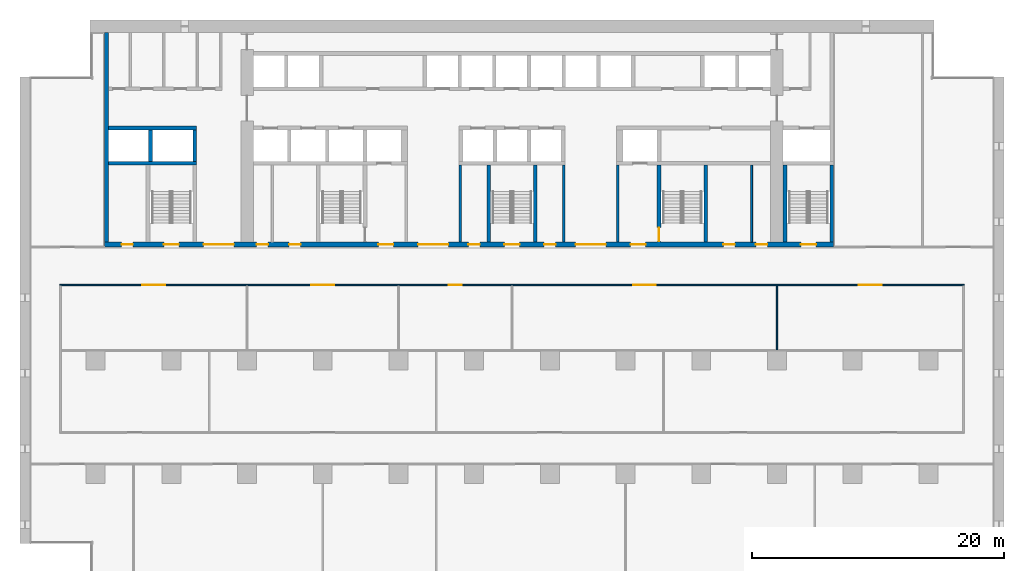
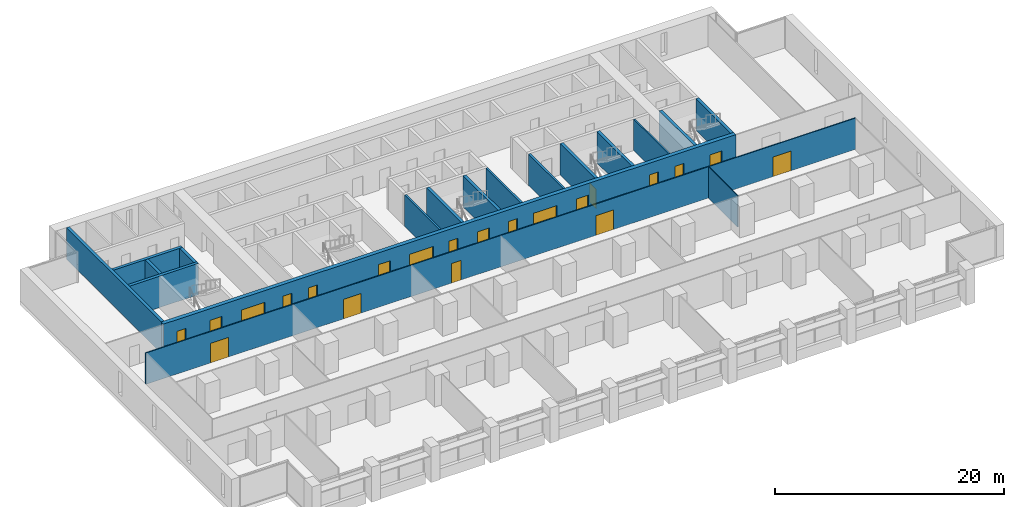
# One storey, part 10 of 18: 21 doors, 18 walls, 21 openings.
"""IFC4 building model written with IfcOpenShell, lengths in metres."""

import ifcopenshell
import ifcopenshell.guid

model = None  # the IFC model being written
_history = None  # IfcOwnerHistory: only IFC2X3 demands one
_inside = {}  # id of a spatial element -> (the spatial element, [elements in it])
_under = {}  # id of a project, library or spatial element -> (it, [spatial elements below it])
_declared = {}  # id of a project -> (the project, [libraries it declares])
_typed = {}  # id of a type object -> (the type object, [elements of that type])
_made_of = {}  # id of a material, layer set ... -> (it, [elements and type objects made of it])


def new_model(schema):
    """Start an empty IFC model of exactly this schema.

    Asked for "IFC4X3", IfcOpenShell would pick the latest addendum, in which some entities
    have other attributes; the version numbers below select the first issue.
    IFC2X3 requires an IfcOwnerHistory on every rooted entity: one is made here for all.
    """
    global model, _history
    if schema == "IFC4X3":
        model = ifcopenshell.file(schema_version=(4, 3, 0, 0))
    else:
        model = ifcopenshell.file(schema=schema)
    _inside.clear()
    _under.clear()
    _declared.clear()
    _typed.clear()
    _made_of.clear()
    _history = None
    if model.schema == "IFC2X3":
        org = make("IfcOrganization", Name="unknown")
        user = make(
            "IfcPersonAndOrganization",
            ThePerson=make("IfcPerson", FamilyName="unknown"),
            TheOrganization=org,
        )
        app = make(
            "IfcApplication",
            ApplicationDeveloper=org,
            Version="unknown",
            ApplicationFullName="unknown",
            ApplicationIdentifier="unknown",
        )
        _history = make(
            "IfcOwnerHistory",
            OwningUser=user,
            OwningApplication=app,
            ChangeAction="ADDED",
            CreationDate=0,
        )
    return model


def make(cls, **values):
    """One entity of the class cls with the attributes given. An attribute that is None is left unset."""
    return model.create_entity(
        cls, **{name: value for name, value in values.items() if value is not None}
    )


def rooted(cls, **values):
    """An entity with a GlobalId (a new one), such as an element, a storey or a relation."""
    return make(cls, GlobalId=ifcopenshell.guid.new(), OwnerHistory=_history, **values)


def si_unit(unit_type, name, prefix=None):
    """IfcSIUnit, for example si_unit("LENGTHUNIT", "METRE", prefix="MILLI")."""
    return make("IfcSIUnit", UnitType=unit_type, Prefix=prefix, Name=name)


def assignment(units):
    """IfcUnitAssignment: the units of a project."""
    return None if units is None else make("IfcUnitAssignment", Units=units)


def point(xyz):
    """IfcCartesianPoint."""
    return None if xyz is None else make("IfcCartesianPoint", Coordinates=xyz)


def direction(xyz):
    """IfcDirection."""
    return None if xyz is None else make("IfcDirection", DirectionRatios=xyz)


def frame(location, z_axis=None, x_axis=None):
    """IfcAxis2Placement3D, a coordinate frame: its origin and axes. An axis left out is left unset."""
    return make(
        "IfcAxis2Placement3D",
        Location=point(location),
        Axis=direction(z_axis),
        RefDirection=direction(x_axis),
    )


def frame_2d(location, x_axis=None):
    """IfcAxis2Placement2D, a coordinate frame in the plane: its origin and x axis."""
    return make(
        "IfcAxis2Placement2D", Location=point(location), RefDirection=direction(x_axis)
    )


def origin():
    """The frame at (0, 0, 0) with its axes left unset."""
    return frame((0.0, 0.0, 0.0))


def place(relative_to, where):
    """IfcLocalPlacement: puts the frame where relative to a parent placement (None: the world)."""
    return make(
        "IfcLocalPlacement", PlacementRelTo=relative_to, RelativePlacement=where
    )


def context(
    kind, dimensions, precision=None, world=None, true_north=None, identifier=None
):
    """IfcGeometricRepresentationContext, for example the 3D "Model" context."""
    return make(
        "IfcGeometricRepresentationContext",
        ContextIdentifier=identifier,
        ContextType=kind,
        CoordinateSpaceDimension=dimensions,
        Precision=precision,
        WorldCoordinateSystem=world,
        TrueNorth=true_north,
    )


def subcontext(parent, identifier, kind, view, scale=None):
    """IfcGeometricRepresentationSubContext, for example "Body" below "Model"."""
    return make(
        "IfcGeometricRepresentationSubContext",
        ContextIdentifier=identifier,
        ContextType=kind,
        ParentContext=parent,
        TargetScale=scale,
        TargetView=view,
    )


def project(units=None, contexts=None):
    """IfcProject with its units and contexts."""
    return rooted(
        "IfcProject",
        Name="project",
        RepresentationContexts=contexts,
        UnitsInContext=assignment(units),
    )


def spatial(cls, under=None, at=None, **own):
    """A site, building, storey or space (cls), placed at a placement, below another one or the project."""
    s = rooted(cls, ObjectPlacement=at, **own)
    if under is not None:
        _under.setdefault(under.id(), (under, []))[1].append(s)
    return s


def profile(cls, at=None, kind="AREA", **sizes):
    """A parametric profile (cls). Its sizes go by their IFC names, for example OverallWidth=200.0."""
    return make(cls, ProfileType=kind, Position=at, **sizes)


def rectangle(**sizes):
    """IfcRectangleProfileDef."""
    return profile("IfcRectangleProfileDef", **sizes)


def extrude(swept, where, along, depth):
    """IfcExtrudedAreaSolid: the profile swept, set in the frame where, extruded along a direction by depth."""
    return make(
        "IfcExtrudedAreaSolid",
        SweptArea=swept,
        Position=where,
        ExtrudedDirection=direction(along),
        Depth=depth,
    )


def shape(context_of_items, identifier, shape_type, items):
    """IfcShapeRepresentation: the items that make up one representation, for example the "Body"."""
    return make(
        "IfcShapeRepresentation",
        ContextOfItems=context_of_items,
        RepresentationIdentifier=identifier,
        RepresentationType=shape_type,
        Items=items,
    )


def material(Name=None, Category=None):
    """IfcMaterial."""
    return make("IfcMaterial", Name=Name, Category=Category)


def layer(
    of_material, thickness, ventilated=None, Name=None, Category=None, Priority=None
):
    """IfcMaterialLayer: one layer of a wall or slab, of a material (None: an air gap)."""
    return make(
        "IfcMaterialLayer",
        Material=of_material,
        LayerThickness=thickness,
        IsVentilated=ventilated,
        Name=Name,
        Category=Category,
        Priority=Priority,
    )


def layer_set(layers, Name=None):
    """IfcMaterialLayerSet."""
    return make("IfcMaterialLayerSet", MaterialLayers=layers, LayerSetName=Name)


def made_of(thing, what):
    """Note that an element or type object is made of a material, layer set ...; save() writes the relation."""
    if what is not None:
        _made_of.setdefault(what.id(), (what, []))[1].append(thing)
    return thing


def type_object(cls, material=None, **own):
    """A type object (cls), such as IfcWallType, which elements share."""
    return made_of(rooted(cls, **own), material)


def element(
    cls,
    number,
    at=None,
    inside=None,
    cuts=None,
    type_object=None,
    material=None,
    context=None,
    identifier="Body",
    shape_type=None,
    held_by="IfcProductDefinitionShape",
    body=None,
    shapes=None,
    **own,
):
    """One element of the class cls, such as IfcWall. Its Tag is "e" and its number.

    at: its placement. inside: the storey or other place that contains it. cuts: it is an
    opening in that element (IfcRelVoidsElement). A single representation is given by context,
    identifier, shape_type and body (its items); several are given by shapes. held_by: the class
    of the entity that holds the representations. save() writes the other relations.
    """
    e = rooted(cls, Tag="e%d" % number, ObjectPlacement=at, **own)
    if body is not None:
        shapes = [shape(context, identifier, shape_type, body)]
    if shapes is not None:
        e.Representation = make(held_by, Representations=shapes)
    if inside is not None:
        _inside.setdefault(inside.id(), (inside, []))[1].append(e)
    if cuts is not None:
        rooted(
            "IfcRelVoidsElement", RelatingBuildingElement=cuts, RelatedOpeningElement=e
        )
    if type_object is not None:
        _typed.setdefault(type_object.id(), (type_object, []))[1].append(e)
    return made_of(e, material)


def fill(opening, filler):
    """IfcRelFillsElement: the door or window that sits in an opening."""
    return rooted(
        "IfcRelFillsElement",
        RelatingOpeningElement=opening,
        RelatedBuildingElement=filler,
    )


def aggregate(whole, parts):
    """IfcRelAggregates: a whole, such as a stair, and the parts it consists of."""
    return rooted("IfcRelAggregates", RelatingObject=whole, RelatedObjects=parts)


def save(model, path):
    """Write the relations noted so far, then the file.

    IfcRelAggregates (storeys below a building ...), IfcRelContainedInSpatialStructure (elements
    in a storey), IfcRelDefinesByType, IfcRelAssociatesMaterial and IfcRelDeclares: one each for
    every whole, place, type object, material and project.
    """
    for whole, parts in _under.values():
        aggregate(whole, parts)
    for where, things in _inside.values():
        rooted(
            "IfcRelContainedInSpatialStructure",
            RelatedElements=things,
            RelatingStructure=where,
        )
    for kind, things in _typed.values():
        rooted("IfcRelDefinesByType", RelatedObjects=things, RelatingType=kind)
    for what, things in _made_of.values():
        rooted("IfcRelAssociatesMaterial", RelatedObjects=things, RelatingMaterial=what)
    for by, libraries in _declared.values():
        rooted("IfcRelDeclares", RelatingContext=by, RelatedDefinitions=libraries)
    model.write(path)


model = new_model("IFC4")

# Units and contexts
model_context = context("Model", 3, precision=1e-05, world=origin(), true_north=direction((0.0, 1.0)))
body_context = subcontext(model_context, "Body", "Model", "MODEL_VIEW")
ifc_project = project(units=[si_unit("LENGTHUNIT", "METRE"), si_unit("AREAUNIT", "SQUARE_METRE"), si_unit("VOLUMEUNIT", "CUBIC_METRE"), si_unit("PLANEANGLEUNIT", "RADIAN"), si_unit("MASSUNIT", "GRAM", prefix="KILO")], contexts=[model_context])

# Site, building, storey
site_placement = place(None, origin())
site = spatial("IfcSite", under=ifc_project, at=site_placement, CompositionType="ELEMENT")
building_placement = place(site_placement, origin())
building = spatial("IfcBuilding", under=site, at=building_placement, Name="Calvaro Tower", CompositionType="ELEMENT")
storey_placement = place(building_placement, frame((0.0, 0.0, 82.5)))
storey = spatial("IfcBuildingStorey", under=building, at=storey_placement, Name="L20", CompositionType="ELEMENT", Elevation=82.5)

# Walls
ifc_material_1 = material(Name="Blockwork partition", Category="masonry")
ifc_layer_1 = layer(ifc_material_1, 0.14990234375)
ifc_layer_set_1 = layer_set([ifc_layer_1], Name="Blockwork partition")
wall_type_1 = type_object("IfcWallType", Name="Core partition 150 EI 60", PredefinedType="PARTITIONING", material=ifc_layer_set_1)
wall_1_placement = place(storey_placement, frame((58.0, 28.39990234375, 0.0), z_axis=(0.0, 0.0, 1.0), x_axis=(0.0, 1.0, 0.0)))
element("IfcWall", 1, at=wall_1_placement, inside=storey, type_object=wall_type_1, Name="Core partition", PredefinedType="PARTITIONING", context=body_context, shape_type="SweptSolid", body=[
    extrude(rectangle(XDim=6.10009765625, YDim=0.14990234375, at=frame_2d((3.050048828125, 0.0))), origin(), (0.0, 0.0, 1.0), 3.35009765625),
])
ifc_material_2 = material(Name="Blockwork partition", Category="masonry")
ifc_layer_2 = layer(ifc_material_2, 0.199951171875)
ifc_layer_set_2 = layer_set([ifc_layer_2], Name="Blockwork partition")
wall_type_2 = type_object("IfcWallType", Name="Core partition 200 REI 120", PredefinedType="PARTITIONING", material=ifc_layer_set_2)
for number, where, z_axis, x_axis, name in (
    (2, (34.89990234375, 28.39990234375, 0.0), (0.0, 0.0, 1.0), (0.0, 1.0, 0.0), "Core partition"),
    (3, (43.10009765625, 28.39990234375, 0.0), (0.0, 0.0, 1.0), (0.0, 1.0, 0.0), "Core partition"),
    (4, (47.39990234375, 28.39990234375, 0.0), (0.0, 0.0, 1.0), (0.0, 1.0, 0.0), "Core partition"),
):
    element("IfcWall", number, at=place(storey_placement, frame(where, z_axis=z_axis, x_axis=x_axis)), inside=storey, type_object=wall_type_2, Name=name, PredefinedType="PARTITIONING", context=body_context, shape_type="SweptSolid", body=[
        extrude(rectangle(XDim=6.10009765625, YDim=0.199951171875, at=frame_2d((3.050048828125, 0.0))), origin(), (0.0, 0.0, 1.0), 3.35009765625),
    ])
ifc_material_3 = material(Name="Concrete C80/95", Category="concrete")
ifc_layer_3 = layer(ifc_material_3, 0.300048828125)
ifc_layer_set_3 = layer_set([ifc_layer_3], Name="Concrete C80/95")
wall_type_3 = type_object("IfcWallType", Name="Core wall C80/95 300", PredefinedType="SHEAR", material=ifc_layer_set_3)
wall_2_placement = place(storey_placement, frame((6.85009765625, 28.39990234375, 0.0), z_axis=(0.0, 0.0, 1.0), x_axis=(0.0, 1.0, 0.0)))
element("IfcWall", 5, at=wall_2_placement, inside=storey, type_object=wall_type_3, Name="Core wall, boundary", PredefinedType="SHEAR", context=body_context, shape_type="SweptSolid", body=[
    extrude(rectangle(XDim=16.60009765625, YDim=0.300048828125, at=frame_2d((8.300048828125, 0.0))), origin(), (0.0, 0.0, 1.0), 3.35009765625),
])
for number, where, z_axis, x_axis, name in (
    (6, (37.14990234375, 28.39990234375, 0.0), (0.0, 0.0, 1.0), (0.0, 1.0, 0.0), "Core wall, stair enclosure"),
    (7, (40.85009765625, 28.39990234375, 0.0), (0.0, 0.0, 1.0), (0.0, 1.0, 0.0), "Core wall, stair enclosure"),
):
    element("IfcWall", number, at=place(storey_placement, frame(where, z_axis=z_axis, x_axis=x_axis)), inside=storey, type_object=wall_type_3, Name=name, PredefinedType="SHEAR", context=body_context, shape_type="SweptSolid", body=[
        extrude(rectangle(XDim=6.10009765625, YDim=0.300048828125, at=frame_2d((3.050048828125, 0.0))), origin(), (0.0, 0.0, 1.0), 3.35009765625),
    ])

# Wall, opening, door
wall_3_placement = place(storey_placement, frame((50.64990234375, 34.5, 0.0), z_axis=(0.0, 0.0, 1.0), x_axis=(0.0, -1.0, 0.0)))
wall_3 = element("IfcWall", 8, at=wall_3_placement, inside=storey, type_object=wall_type_3, Name="Core wall, stair enclosure", PredefinedType="SHEAR", context=body_context, shape_type="SweptSolid", body=[
    extrude(rectangle(XDim=6.10009765625, YDim=0.300048828125, at=frame_2d((3.050048828125, 0.0))), origin(), (0.0, 0.0, 1.0), 3.35009765625),
])
opening_1_placement = place(wall_3_placement, frame((4.949951171875, 0.0, 0.0)))
opening_1 = element("IfcOpeningElement", 9, at=opening_1_placement, cuts=wall_3, Name="Opening FD11D", PredefinedType="OPENING", context=body_context, shape_type="SweptSolid", body=[
    extrude(rectangle(XDim=1.10009765625, YDim=2.10009765625, at=frame_2d((0.550048828125, 1.050048828125))), frame((0.0, 0.159912109375, 0.0), z_axis=(0.0, -1.0, 0.0), x_axis=(1.0, 0.0, 0.0)), (0.0, 0.0, 1.0), 0.320068359375),
])
ifc_material_4 = material(Name="Steel door set", Category="steel")
door_type_1 = type_object("IfcDoorType", Name="Fire door 1100 FD30S", OperationType="SINGLE_SWING_LEFT", PredefinedType="DOOR", material=ifc_material_4)
door_1_placement = place(opening_1_placement, origin())
door_1 = element("IfcDoor", 10, at=door_1_placement, inside=storey, type_object=door_type_1, Name="Fire door", OperationType="SINGLE_SWING_RIGHT", OverallHeight=2.10009765625, OverallWidth=1.10009765625, PredefinedType="DOOR", context=body_context, shape_type="SweptSolid", body=[
    extrude(rectangle(XDim=1.10009765625, YDim=2.10009765625, at=frame_2d((0.550048828125, 1.050048828125))), frame((0.0, 0.02490234375, 0.0), z_axis=(0.0, -1.0, 0.0), x_axis=(1.0, 0.0, 0.0)), (0.0, 0.0, 1.0), 0.050048828125),
])
fill(opening_1, door_1)

# Walls
for number, where, z_axis, x_axis, name in (
    (11, (54.35009765625, 28.39990234375, 0.0), (0.0, 0.0, 1.0), (0.0, 1.0, 0.0), "Core wall, stair enclosure"),
    (12, (60.64990234375, 28.39990234375, 0.0), (0.0, 0.0, 1.0), (0.0, 1.0, 0.0), "Core wall, stair enclosure"),
    (13, (64.35009765625, 28.39990234375, 0.0), (0.0, 0.0, 1.0), (0.0, 1.0, 0.0), "Core wall, stair enclosure"),
):
    element("IfcWall", number, at=place(storey_placement, frame(where, z_axis=z_axis, x_axis=x_axis)), inside=storey, type_object=wall_type_3, Name=name, PredefinedType="SHEAR", context=body_context, shape_type="SweptSolid", body=[
        extrude(rectangle(XDim=6.10009765625, YDim=0.300048828125, at=frame_2d((3.050048828125, 0.0))), origin(), (0.0, 0.0, 1.0), 3.35009765625),
    ])
for number, where, z_axis, x_axis, name in (
    (14, (7.0, 34.64990234375, 0.0), (0.0, 0.0, 1.0), (1.0, 0.0, 0.0), "Core wall, lift shaft"),
    (15, (7.0, 37.449951171875, 0.0), (0.0, 0.0, 1.0), (1.0, 0.0, 0.0), "Core wall, lift shaft"),
):
    element("IfcWall", number, at=place(storey_placement, frame(where, z_axis=z_axis, x_axis=x_axis)), inside=storey, type_object=wall_type_3, Name=name, PredefinedType="SHEAR", context=body_context, shape_type="SweptSolid", body=[
        extrude(rectangle(XDim=7.0, YDim=0.300048828125, at=frame_2d((3.5, 0.0))), origin(), (0.0, 0.0, 1.0), 3.35009765625),
    ])
for number, where, z_axis, x_axis, name in (
    (16, (13.85009765625, 34.800048828125, 0.0), (0.0, 0.0, 1.0), (0.0, 1.0, 0.0), "Core wall, lift shaft"),
    (17, (10.35009765625, 34.800048828125, 0.0), (0.0, 0.0, 1.0), (0.0, 1.0, 0.0), "Core wall, lift shaft"),
):
    element("IfcWall", number, at=place(storey_placement, frame(where, z_axis=z_axis, x_axis=x_axis)), inside=storey, type_object=wall_type_3, Name=name, PredefinedType="SHEAR", context=body_context, shape_type="SweptSolid", body=[
        extrude(rectangle(XDim=2.5, YDim=0.300048828125, at=frame_2d((1.25, 0.0))), origin(), (0.0, 0.0, 1.0), 3.35009765625),
    ])

# Wall, openings, doors
ifc_material_5 = material(Name="Concrete C80/95", Category="concrete")
ifc_layer_4 = layer(ifc_material_5, 0.39990234375)
ifc_layer_set_4 = layer_set([ifc_layer_4], Name="Concrete C80/95")
wall_type_4 = type_object("IfcWallType", Name="Core wall C80/95 400", PredefinedType="SHEAR", material=ifc_layer_set_4)
wall_4_placement = place(storey_placement, frame((6.699951171875, 28.199951171875, 0.0), z_axis=(0.0, 0.0, 1.0), x_axis=(1.0, 0.0, 0.0)))
wall_4 = element("IfcWall", 18, at=wall_4_placement, inside=storey, type_object=wall_type_4, Name="Core wall, front", PredefinedType="SHEAR", context=body_context, shape_type="SweptSolid", body=[
    extrude(rectangle(XDim=57.800048828125, YDim=0.39990234375, at=frame_2d((28.89990234375, 0.0))), origin(), (0.0, 0.0, 1.0), 3.35009765625),
])
opening_2_placement = place(wall_4_placement, frame((12.0625, 0.0, 0.0)))
opening_2 = element("IfcOpeningElement", 19, at=opening_2_placement, cuts=wall_4, Name="Opening RD9C", PredefinedType="OPENING", context=body_context, shape_type="SweptSolid", body=[
    extrude(rectangle(XDim=0.89990234375, YDim=2.10009765625, at=frame_2d((0.449951171875, 1.050048828125))), frame((0.0, 0.2099609375, 0.0), z_axis=(0.0, -1.0, 0.0), x_axis=(1.0, 0.0, 0.0)), (0.0, 0.0, 1.0), 0.419921875),
])
opening_3_placement = place(wall_4_placement, frame((14.637451171875, 0.0, 0.0)))
opening_3 = element("IfcOpeningElement", 20, at=opening_3_placement, cuts=wall_4, Name="Opening RD9E", PredefinedType="OPENING", context=body_context, shape_type="SweptSolid", body=[
    extrude(rectangle(XDim=0.89990234375, YDim=2.10009765625, at=frame_2d((0.449951171875, 1.050048828125))), frame((0.0, 0.2099609375, 0.0), z_axis=(0.0, -1.0, 0.0), x_axis=(1.0, 0.0, 0.0)), (0.0, 0.0, 1.0), 0.419921875),
])
opening_4_placement = place(wall_4_placement, frame((49.0625, 0.0, 0.0)))
opening_4 = element("IfcOpeningElement", 21, at=opening_4_placement, cuts=wall_4, Name="Opening RD9E", PredefinedType="OPENING", context=body_context, shape_type="SweptSolid", body=[
    extrude(rectangle(XDim=0.89990234375, YDim=2.10009765625, at=frame_2d((0.449951171875, 1.050048828125))), frame((0.0, 0.2099609375, 0.0), z_axis=(0.0, -1.0, 0.0), x_axis=(1.0, 0.0, 0.0)), (0.0, 0.0, 1.0), 0.419921875),
])
opening_5_placement = place(wall_4_placement, frame((51.637451171875, 0.0, 0.0)))
opening_5 = element("IfcOpeningElement", 22, at=opening_5_placement, cuts=wall_4, Name="Opening RD9C", PredefinedType="OPENING", context=body_context, shape_type="SweptSolid", body=[
    extrude(rectangle(XDim=0.89990234375, YDim=2.10009765625, at=frame_2d((0.449951171875, 1.050048828125))), frame((0.0, 0.2099609375, 0.0), z_axis=(0.0, -1.0, 0.0), x_axis=(1.0, 0.0, 0.0)), (0.0, 0.0, 1.0), 0.419921875),
])
opening_6_placement = place(wall_4_placement, frame((1.35009765625, 0.0, 0.0)))
opening_6 = element("IfcOpeningElement", 23, at=opening_6_placement, cuts=wall_4, Name="Opening RD9E", PredefinedType="OPENING", context=body_context, shape_type="SweptSolid", body=[
    extrude(rectangle(XDim=0.89990234375, YDim=2.10009765625, at=frame_2d((0.449951171875, 1.050048828125))), frame((0.0, 0.2099609375, 0.0), z_axis=(0.0, -1.0, 0.0), x_axis=(1.0, 0.0, 0.0)), (0.0, 0.0, 1.0), 0.419921875),
])
opening_7_placement = place(wall_4_placement, frame((4.699951171875, 0.0, 0.0)))
opening_7 = element("IfcOpeningElement", 24, at=opening_7_placement, cuts=wall_4, Name="Opening SD12D", PredefinedType="OPENING", context=body_context, shape_type="SweptSolid", body=[
    extrude(rectangle(XDim=1.199951171875, YDim=2.10009765625, at=frame_2d((0.60009765625, 1.050048828125))), frame((0.0, 0.2099609375, 0.0), z_axis=(0.0, -1.0, 0.0), x_axis=(1.0, 0.0, 0.0)), (0.0, 0.0, 1.0), 0.419921875),
])
opening_8_placement = place(wall_4_placement, frame((31.699951171875, 0.0, 0.0)))
opening_8 = element("IfcOpeningElement", 25, at=opening_8_placement, cuts=wall_4, Name="Opening SD12D", PredefinedType="OPENING", context=body_context, shape_type="SweptSolid", body=[
    extrude(rectangle(XDim=1.199951171875, YDim=2.10009765625, at=frame_2d((0.60009765625, 1.050048828125))), frame((0.0, 0.2099609375, 0.0), z_axis=(0.0, -1.0, 0.0), x_axis=(1.0, 0.0, 0.0)), (0.0, 0.0, 1.0), 0.419921875),
])
opening_9_placement = place(wall_4_placement, frame((55.199951171875, 0.0, 0.0)))
opening_9 = element("IfcOpeningElement", 26, at=opening_9_placement, cuts=wall_4, Name="Opening SD12D", PredefinedType="OPENING", context=body_context, shape_type="SweptSolid", body=[
    extrude(rectangle(XDim=1.199951171875, YDim=2.10009765625, at=frame_2d((0.60009765625, 1.050048828125))), frame((0.0, 0.2099609375, 0.0), z_axis=(0.0, -1.0, 0.0), x_axis=(1.0, 0.0, 0.0)), (0.0, 0.0, 1.0), 0.419921875),
])
opening_10_placement = place(wall_4_placement, frame((21.699951171875, 0.0, 0.0)))
opening_10 = element("IfcOpeningElement", 27, at=opening_10_placement, cuts=wall_4, Name="Opening FD12F", PredefinedType="OPENING", context=body_context, shape_type="SweptSolid", body=[
    extrude(rectangle(XDim=1.199951171875, YDim=2.10009765625, at=frame_2d((0.60009765625, 1.050048828125))), frame((0.0, 0.2099609375, 0.0), z_axis=(0.0, -1.0, 0.0), x_axis=(1.0, 0.0, 0.0)), (0.0, 0.0, 1.0), 0.419921875),
])
opening_11_placement = place(wall_4_placement, frame((41.699951171875, 0.0, 0.0)))
opening_11 = element("IfcOpeningElement", 28, at=opening_11_placement, cuts=wall_4, Name="Opening FD12F", PredefinedType="OPENING", context=body_context, shape_type="SweptSolid", body=[
    extrude(rectangle(XDim=1.199951171875, YDim=2.10009765625, at=frame_2d((0.60009765625, 1.050048828125))), frame((0.0, 0.2099609375, 0.0), z_axis=(0.0, -1.0, 0.0), x_axis=(1.0, 0.0, 0.0)), (0.0, 0.0, 1.0), 0.419921875),
])
opening_12_placement = place(wall_4_placement, frame((24.85009765625, 0.0, 0.0)))
opening_12 = element("IfcOpeningElement", 29, at=opening_12_placement, cuts=wall_4, Name="Opening DD24D", PredefinedType="OPENING", context=body_context, shape_type="SweptSolid", body=[
    extrude(rectangle(XDim=2.39990234375, YDim=2.10009765625, at=frame_2d((1.199951171875, 1.050048828125))), frame((0.0, 0.2099609375, 0.0), z_axis=(0.0, -1.0, 0.0), x_axis=(1.0, 0.0, 0.0)), (0.0, 0.0, 1.0), 0.419921875),
])
opening_13_placement = place(wall_4_placement, frame((37.35009765625, 0.0, 0.0)))
opening_13 = element("IfcOpeningElement", 30, at=opening_13_placement, cuts=wall_4, Name="Opening DD24D", PredefinedType="OPENING", context=body_context, shape_type="SweptSolid", body=[
    extrude(rectangle(XDim=2.39990234375, YDim=2.10009765625, at=frame_2d((1.199951171875, 1.050048828125))), frame((0.0, 0.2099609375, 0.0), z_axis=(0.0, -1.0, 0.0), x_axis=(1.0, 0.0, 0.0)), (0.0, 0.0, 1.0), 0.419921875),
])
opening_14_placement = place(wall_4_placement, frame((7.85009765625, 0.0, 0.0)))
opening_14 = element("IfcOpeningElement", 31, at=opening_14_placement, cuts=wall_4, Name="Opening DD24D", PredefinedType="OPENING", context=body_context, shape_type="SweptSolid", body=[
    extrude(rectangle(XDim=2.39990234375, YDim=2.10009765625, at=frame_2d((1.199951171875, 1.050048828125))), frame((0.0, 0.2099609375, 0.0), z_axis=(0.0, -1.0, 0.0), x_axis=(1.0, 0.0, 0.0)), (0.0, 0.0, 1.0), 0.419921875),
])
opening_15_placement = place(wall_4_placement, frame((28.85009765625, 0.0, 0.0)))
opening_15 = element("IfcOpeningElement", 32, at=opening_15_placement, cuts=wall_4, Name="Opening RD9E", PredefinedType="OPENING", context=body_context, shape_type="SweptSolid", body=[
    extrude(rectangle(XDim=0.89990234375, YDim=2.10009765625, at=frame_2d((0.449951171875, 1.050048828125))), frame((0.0, 0.2099609375, 0.0), z_axis=(0.0, -1.0, 0.0), x_axis=(1.0, 0.0, 0.0)), (0.0, 0.0, 1.0), 0.419921875),
])
opening_16_placement = place(wall_4_placement, frame((34.85009765625, 0.0, 0.0)))
opening_16 = element("IfcOpeningElement", 33, at=opening_16_placement, cuts=wall_4, Name="Opening RD9E", PredefinedType="OPENING", context=body_context, shape_type="SweptSolid", body=[
    extrude(rectangle(XDim=0.89990234375, YDim=2.10009765625, at=frame_2d((0.449951171875, 1.050048828125))), frame((0.0, 0.2099609375, 0.0), z_axis=(0.0, -1.0, 0.0), x_axis=(1.0, 0.0, 0.0)), (0.0, 0.0, 1.0), 0.419921875),
])
ifc_material_6 = material(Name="Steel door set", Category="steel")
door_type_2 = type_object("IfcDoorType", Name="Fire door 1200 FD60S", OperationType="SINGLE_SWING_LEFT", PredefinedType="DOOR", material=ifc_material_6)
door_2_placement = place(opening_10_placement, origin())
door_2 = element("IfcDoor", 34, at=door_2_placement, inside=storey, type_object=door_type_2, Name="Fire door", OperationType="SINGLE_SWING_LEFT", OverallHeight=2.10009765625, OverallWidth=1.199951171875, PredefinedType="DOOR", context=body_context, shape_type="SweptSolid", body=[
    extrude(rectangle(XDim=1.199951171875, YDim=2.10009765625, at=frame_2d((0.60009765625, 1.050048828125))), frame((0.0, 0.02490234375, 0.0), z_axis=(0.0, -1.0, 0.0), x_axis=(1.0, 0.0, 0.0)), (0.0, 0.0, 1.0), 0.050048828125),
])
fill(opening_10, door_2)
door_3_placement = place(opening_11_placement, origin())
door_3 = element("IfcDoor", 35, at=door_3_placement, inside=storey, type_object=door_type_2, Name="Fire door", OperationType="SINGLE_SWING_LEFT", OverallHeight=2.10009765625, OverallWidth=1.199951171875, PredefinedType="DOOR", context=body_context, shape_type="SweptSolid", body=[
    extrude(rectangle(XDim=1.199951171875, YDim=2.10009765625, at=frame_2d((0.60009765625, 1.050048828125))), frame((0.0, 0.02490234375, 0.0), z_axis=(0.0, -1.0, 0.0), x_axis=(1.0, 0.0, 0.0)), (0.0, 0.0, 1.0), 0.050048828125),
])
fill(opening_11, door_3)
ifc_material_7 = material(Name="Steel door set", Category="steel")
door_type_3 = type_object("IfcDoorType", Name="Lobby double door 2400 FD30S", OperationType="DOUBLE_DOOR_SINGLE_SWING", PredefinedType="DOOR", material=ifc_material_7)
door_4_placement = place(opening_12_placement, origin())
door_4 = element("IfcDoor", 36, at=door_4_placement, inside=storey, type_object=door_type_3, Name="Lobby double door", OperationType="DOUBLE_DOOR_SINGLE_SWING", OverallHeight=2.10009765625, OverallWidth=2.39990234375, PredefinedType="DOOR", context=body_context, shape_type="SweptSolid", body=[
    extrude(rectangle(XDim=2.39990234375, YDim=2.10009765625, at=frame_2d((1.199951171875, 1.050048828125))), frame((0.0, 0.02490234375, 0.0), z_axis=(0.0, -1.0, 0.0), x_axis=(1.0, 0.0, 0.0)), (0.0, 0.0, 1.0), 0.050048828125),
])
fill(opening_12, door_4)
door_5_placement = place(opening_13_placement, origin())
door_5 = element("IfcDoor", 37, at=door_5_placement, inside=storey, type_object=door_type_3, Name="Lobby double door", OperationType="DOUBLE_DOOR_SINGLE_SWING", OverallHeight=2.10009765625, OverallWidth=2.39990234375, PredefinedType="DOOR", context=body_context, shape_type="SweptSolid", body=[
    extrude(rectangle(XDim=2.39990234375, YDim=2.10009765625, at=frame_2d((1.199951171875, 1.050048828125))), frame((0.0, 0.02490234375, 0.0), z_axis=(0.0, -1.0, 0.0), x_axis=(1.0, 0.0, 0.0)), (0.0, 0.0, 1.0), 0.050048828125),
])
fill(opening_13, door_5)
door_6_placement = place(opening_14_placement, origin())
door_6 = element("IfcDoor", 38, at=door_6_placement, inside=storey, type_object=door_type_3, Name="Lobby double door", OperationType="DOUBLE_DOOR_SINGLE_SWING", OverallHeight=2.10009765625, OverallWidth=2.39990234375, PredefinedType="DOOR", context=body_context, shape_type="SweptSolid", body=[
    extrude(rectangle(XDim=2.39990234375, YDim=2.10009765625, at=frame_2d((1.199951171875, 1.050048828125))), frame((0.0, 0.02490234375, 0.0), z_axis=(0.0, -1.0, 0.0), x_axis=(1.0, 0.0, 0.0)), (0.0, 0.0, 1.0), 0.050048828125),
])
fill(opening_14, door_6)
ifc_material_8 = material(Name="Steel door set", Category="steel")
door_type_4 = type_object("IfcDoorType", Name="Room door 900 FD30", OperationType="SINGLE_SWING_LEFT", PredefinedType="DOOR", material=ifc_material_8)
door_7_placement = place(opening_2_placement, origin())
door_7 = element("IfcDoor", 39, at=door_7_placement, inside=storey, type_object=door_type_4, Name="Room door", OperationType="SINGLE_SWING_LEFT", OverallHeight=2.10009765625, OverallWidth=0.89990234375, PredefinedType="DOOR", context=body_context, shape_type="SweptSolid", body=[
    extrude(rectangle(XDim=0.89990234375, YDim=2.10009765625, at=frame_2d((0.449951171875, 1.050048828125))), frame((0.0, 0.02490234375, 0.0), z_axis=(0.0, -1.0, 0.0), x_axis=(1.0, 0.0, 0.0)), (0.0, 0.0, 1.0), 0.050048828125),
])
fill(opening_2, door_7)
door_8_placement = place(opening_5_placement, origin())
door_8 = element("IfcDoor", 40, at=door_8_placement, inside=storey, type_object=door_type_4, Name="Room door", OperationType="SINGLE_SWING_LEFT", OverallHeight=2.10009765625, OverallWidth=0.89990234375, PredefinedType="DOOR", context=body_context, shape_type="SweptSolid", body=[
    extrude(rectangle(XDim=0.89990234375, YDim=2.10009765625, at=frame_2d((0.449951171875, 1.050048828125))), frame((0.0, 0.02490234375, 0.0), z_axis=(0.0, -1.0, 0.0), x_axis=(1.0, 0.0, 0.0)), (0.0, 0.0, 1.0), 0.050048828125),
])
fill(opening_5, door_8)
ifc_material_9 = material(Name="Steel door set", Category="steel")
door_type_5 = type_object("IfcDoorType", Name="Room door 900 FD60", OperationType="SINGLE_SWING_LEFT", PredefinedType="DOOR", material=ifc_material_9)
door_9_placement = place(opening_3_placement, origin())
door_9 = element("IfcDoor", 41, at=door_9_placement, inside=storey, type_object=door_type_5, Name="Room door", OperationType="SINGLE_SWING_RIGHT", OverallHeight=2.10009765625, OverallWidth=0.89990234375, PredefinedType="DOOR", context=body_context, shape_type="SweptSolid", body=[
    extrude(rectangle(XDim=0.89990234375, YDim=2.10009765625, at=frame_2d((0.449951171875, 1.050048828125))), frame((0.0, 0.02490234375, 0.0), z_axis=(0.0, -1.0, 0.0), x_axis=(1.0, 0.0, 0.0)), (0.0, 0.0, 1.0), 0.050048828125),
])
fill(opening_3, door_9)
door_10_placement = place(opening_4_placement, origin())
door_10 = element("IfcDoor", 42, at=door_10_placement, inside=storey, type_object=door_type_5, Name="Room door", OperationType="SINGLE_SWING_LEFT", OverallHeight=2.10009765625, OverallWidth=0.89990234375, PredefinedType="DOOR", context=body_context, shape_type="SweptSolid", body=[
    extrude(rectangle(XDim=0.89990234375, YDim=2.10009765625, at=frame_2d((0.449951171875, 1.050048828125))), frame((0.0, 0.02490234375, 0.0), z_axis=(0.0, -1.0, 0.0), x_axis=(1.0, 0.0, 0.0)), (0.0, 0.0, 1.0), 0.050048828125),
])
fill(opening_4, door_10)
door_11_placement = place(opening_6_placement, origin())
door_11 = element("IfcDoor", 43, at=door_11_placement, inside=storey, type_object=door_type_5, Name="Room door", OperationType="SINGLE_SWING_LEFT", OverallHeight=2.10009765625, OverallWidth=0.89990234375, PredefinedType="DOOR", context=body_context, shape_type="SweptSolid", body=[
    extrude(rectangle(XDim=0.89990234375, YDim=2.10009765625, at=frame_2d((0.449951171875, 1.050048828125))), frame((0.0, 0.02490234375, 0.0), z_axis=(0.0, -1.0, 0.0), x_axis=(1.0, 0.0, 0.0)), (0.0, 0.0, 1.0), 0.050048828125),
])
fill(opening_6, door_11)
door_12_placement = place(opening_15_placement, origin())
door_12 = element("IfcDoor", 44, at=door_12_placement, inside=storey, type_object=door_type_5, Name="Room door", OperationType="SINGLE_SWING_LEFT", OverallHeight=2.10009765625, OverallWidth=0.89990234375, PredefinedType="DOOR", context=body_context, shape_type="SweptSolid", body=[
    extrude(rectangle(XDim=0.89990234375, YDim=2.10009765625, at=frame_2d((0.449951171875, 1.050048828125))), frame((0.0, 0.02490234375, 0.0), z_axis=(0.0, -1.0, 0.0), x_axis=(1.0, 0.0, 0.0)), (0.0, 0.0, 1.0), 0.050048828125),
])
fill(opening_15, door_12)
door_13_placement = place(opening_16_placement, origin())
door_13 = element("IfcDoor", 45, at=door_13_placement, inside=storey, type_object=door_type_5, Name="Room door", OperationType="SINGLE_SWING_LEFT", OverallHeight=2.10009765625, OverallWidth=0.89990234375, PredefinedType="DOOR", context=body_context, shape_type="SweptSolid", body=[
    extrude(rectangle(XDim=0.89990234375, YDim=2.10009765625, at=frame_2d((0.449951171875, 1.050048828125))), frame((0.0, 0.02490234375, 0.0), z_axis=(0.0, -1.0, 0.0), x_axis=(1.0, 0.0, 0.0)), (0.0, 0.0, 1.0), 0.050048828125),
])
fill(opening_16, door_13)
ifc_material_10 = material(Name="Steel door set", Category="steel")
door_type_6 = type_object("IfcDoorType", Name="Stair door 1200 FD30S", OperationType="SINGLE_SWING_LEFT", PredefinedType="DOOR", material=ifc_material_10)
door_14_placement = place(opening_7_placement, origin())
door_14 = element("IfcDoor", 46, at=door_14_placement, inside=storey, type_object=door_type_6, Name="Stair door", OperationType="SINGLE_SWING_LEFT", OverallHeight=2.10009765625, OverallWidth=1.199951171875, PredefinedType="DOOR", context=body_context, shape_type="SweptSolid", body=[
    extrude(rectangle(XDim=1.199951171875, YDim=2.10009765625, at=frame_2d((0.60009765625, 1.050048828125))), frame((0.0, 0.02490234375, 0.0), z_axis=(0.0, -1.0, 0.0), x_axis=(1.0, 0.0, 0.0)), (0.0, 0.0, 1.0), 0.050048828125),
])
fill(opening_7, door_14)
door_15_placement = place(opening_8_placement, origin())
door_15 = element("IfcDoor", 47, at=door_15_placement, inside=storey, type_object=door_type_6, Name="Stair door", OperationType="SINGLE_SWING_LEFT", OverallHeight=2.10009765625, OverallWidth=1.199951171875, PredefinedType="DOOR", context=body_context, shape_type="SweptSolid", body=[
    extrude(rectangle(XDim=1.199951171875, YDim=2.10009765625, at=frame_2d((0.60009765625, 1.050048828125))), frame((0.0, 0.02490234375, 0.0), z_axis=(0.0, -1.0, 0.0), x_axis=(1.0, 0.0, 0.0)), (0.0, 0.0, 1.0), 0.050048828125),
])
fill(opening_8, door_15)
door_16_placement = place(opening_9_placement, origin())
door_16 = element("IfcDoor", 48, at=door_16_placement, inside=storey, type_object=door_type_6, Name="Stair door", OperationType="SINGLE_SWING_LEFT", OverallHeight=2.10009765625, OverallWidth=1.199951171875, PredefinedType="DOOR", context=body_context, shape_type="SweptSolid", body=[
    extrude(rectangle(XDim=1.199951171875, YDim=2.10009765625, at=frame_2d((0.60009765625, 1.050048828125))), frame((0.0, 0.02490234375, 0.0), z_axis=(0.0, -1.0, 0.0), x_axis=(1.0, 0.0, 0.0)), (0.0, 0.0, 1.0), 0.050048828125),
])
fill(opening_9, door_16)

ifc_material_11 = material(Name="Plasterboard on steel studs", Category="steel")
ifc_layer_5 = layer(ifc_material_11, 0.10009765625)
ifc_layer_set_5 = layer_set([ifc_layer_5], Name="Plasterboard on steel studs")
wall_type_5 = type_object("IfcWallType", Name="Partition 100", PredefinedType="PARTITIONING", material=ifc_layer_set_5)
wall_5_placement = place(storey_placement, frame((3.14990234375, 25.0, 0.0), z_axis=(0.0, 0.0, 1.0), x_axis=(1.0, 0.0, 0.0)))
wall_5 = element("IfcWall", 49, at=wall_5_placement, inside=storey, type_object=wall_type_5, Name="Partition T14.W004", PredefinedType="PARTITIONING", context=body_context, shape_type="SweptSolid", body=[
    extrude(rectangle(XDim=71.7001953125, YDim=0.10009765625, at=frame_2d((35.85009765625, 0.0))), origin(), (0.0, 0.0, 1.0), 3.35009765625),
])
opening_17_placement = place(wall_5_placement, frame((6.550048828125, 0.0, 0.0)))
opening_17 = element("IfcOpeningElement", 50, at=opening_17_placement, cuts=wall_5, Name="Opening T14.012", PredefinedType="OPENING", context=body_context, shape_type="SweptSolid", body=[
    extrude(rectangle(XDim=1.800048828125, YDim=2.10009765625, at=frame_2d((0.89990234375, 1.050048828125))), frame((0.0, 0.06005859375, 0.0), z_axis=(0.0, -1.0, 0.0), x_axis=(1.0, 0.0, 0.0)), (0.0, 0.0, 1.0), 0.1201171875),
])
opening_18_placement = place(wall_5_placement, frame((19.949951171875, 0.0, 0.0)))
opening_18 = element("IfcOpeningElement", 51, at=opening_18_placement, cuts=wall_5, Name="Opening T14.013", PredefinedType="OPENING", context=body_context, shape_type="SweptSolid", body=[
    extrude(rectangle(XDim=1.800048828125, YDim=2.10009765625, at=frame_2d((0.89990234375, 1.050048828125))), frame((0.0, 0.06005859375, 0.0), z_axis=(0.0, -1.0, 0.0), x_axis=(1.0, 0.0, 0.0)), (0.0, 0.0, 1.0), 0.1201171875),
])
opening_19_placement = place(wall_5_placement, frame((30.85009765625, 0.0, 0.0)))
opening_19 = element("IfcOpeningElement", 52, at=opening_19_placement, cuts=wall_5, Name="Opening T14.014", PredefinedType="OPENING", context=body_context, shape_type="SweptSolid", body=[
    extrude(rectangle(XDim=1.0, YDim=2.10009765625, at=frame_2d((0.5, 1.050048828125))), frame((0.0, 0.06005859375, 0.0), z_axis=(0.0, -1.0, 0.0), x_axis=(1.0, 0.0, 0.0)), (0.0, 0.0, 1.0), 0.1201171875),
])
opening_20_placement = place(wall_5_placement, frame((45.449951171875, 0.0, 0.0)))
opening_20 = element("IfcOpeningElement", 53, at=opening_20_placement, cuts=wall_5, Name="Opening T14.015", PredefinedType="OPENING", context=body_context, shape_type="SweptSolid", body=[
    extrude(rectangle(XDim=1.800048828125, YDim=2.10009765625, at=frame_2d((0.89990234375, 1.050048828125))), frame((0.0, 0.06005859375, 0.0), z_axis=(0.0, -1.0, 0.0), x_axis=(1.0, 0.0, 0.0)), (0.0, 0.0, 1.0), 0.1201171875),
])
opening_21_placement = place(wall_5_placement, frame((63.35009765625, 0.0, 0.0)))
opening_21 = element("IfcOpeningElement", 54, at=opening_21_placement, cuts=wall_5, Name="Opening T14.016", PredefinedType="OPENING", context=body_context, shape_type="SweptSolid", body=[
    extrude(rectangle(XDim=1.800048828125, YDim=2.10009765625, at=frame_2d((0.89990234375, 1.050048828125))), frame((0.0, 0.06005859375, 0.0), z_axis=(0.0, -1.0, 0.0), x_axis=(1.0, 0.0, 0.0)), (0.0, 0.0, 1.0), 0.1201171875),
])
ifc_material_12 = material(Name="Timber", Category="wood")
door_type_7 = type_object("IfcDoorType", Name="Internal double door 1800 x 2100", OperationType="DOUBLE_DOOR_SINGLE_SWING", PredefinedType="DOOR", material=ifc_material_12)
door_17_placement = place(opening_17_placement, origin())
door_17 = element("IfcDoor", 55, at=door_17_placement, inside=storey, type_object=door_type_7, Name="Door T14.012", OperationType="DOUBLE_DOOR_SINGLE_SWING", OverallHeight=2.10009765625, OverallWidth=1.800048828125, PredefinedType="DOOR", context=body_context, shape_type="SweptSolid", body=[
    extrude(rectangle(XDim=1.800048828125, YDim=2.10009765625, at=frame_2d((0.89990234375, 1.050048828125))), frame((0.0, 0.02490234375, 0.0), z_axis=(0.0, -1.0, 0.0), x_axis=(1.0, 0.0, 0.0)), (0.0, 0.0, 1.0), 0.050048828125),
])
fill(opening_17, door_17)
door_18_placement = place(opening_18_placement, origin())
door_18 = element("IfcDoor", 56, at=door_18_placement, inside=storey, type_object=door_type_7, Name="Door T14.013", OperationType="DOUBLE_DOOR_SINGLE_SWING", OverallHeight=2.10009765625, OverallWidth=1.800048828125, PredefinedType="DOOR", context=body_context, shape_type="SweptSolid", body=[
    extrude(rectangle(XDim=1.800048828125, YDim=2.10009765625, at=frame_2d((0.89990234375, 1.050048828125))), frame((0.0, 0.02490234375, 0.0), z_axis=(0.0, -1.0, 0.0), x_axis=(1.0, 0.0, 0.0)), (0.0, 0.0, 1.0), 0.050048828125),
])
fill(opening_18, door_18)
door_19_placement = place(opening_20_placement, origin())
door_19 = element("IfcDoor", 57, at=door_19_placement, inside=storey, type_object=door_type_7, Name="Door T14.015", OperationType="DOUBLE_DOOR_SINGLE_SWING", OverallHeight=2.10009765625, OverallWidth=1.800048828125, PredefinedType="DOOR", context=body_context, shape_type="SweptSolid", body=[
    extrude(rectangle(XDim=1.800048828125, YDim=2.10009765625, at=frame_2d((0.89990234375, 1.050048828125))), frame((0.0, 0.02490234375, 0.0), z_axis=(0.0, -1.0, 0.0), x_axis=(1.0, 0.0, 0.0)), (0.0, 0.0, 1.0), 0.050048828125),
])
fill(opening_20, door_19)
door_20_placement = place(opening_21_placement, origin())
door_20 = element("IfcDoor", 58, at=door_20_placement, inside=storey, type_object=door_type_7, Name="Door T14.016", OperationType="DOUBLE_DOOR_SINGLE_SWING", OverallHeight=2.10009765625, OverallWidth=1.800048828125, PredefinedType="DOOR", context=body_context, shape_type="SweptSolid", body=[
    extrude(rectangle(XDim=1.800048828125, YDim=2.10009765625, at=frame_2d((0.89990234375, 1.050048828125))), frame((0.0, 0.02490234375, 0.0), z_axis=(0.0, -1.0, 0.0), x_axis=(1.0, 0.0, 0.0)), (0.0, 0.0, 1.0), 0.050048828125),
])
fill(opening_21, door_20)
ifc_material_13 = material(Name="Timber", Category="wood")
door_type_8 = type_object("IfcDoorType", Name="Internal single door 1000 x 2100", OperationType="SINGLE_SWING_LEFT", PredefinedType="DOOR", material=ifc_material_13)
door_21_placement = place(opening_19_placement, origin())
door_21 = element("IfcDoor", 59, at=door_21_placement, inside=storey, type_object=door_type_8, Name="Door T14.014", OperationType="SINGLE_SWING_LEFT", OverallHeight=2.10009765625, OverallWidth=1.0, PredefinedType="DOOR", context=body_context, shape_type="SweptSolid", body=[
    extrude(rectangle(XDim=1.0, YDim=2.10009765625, at=frame_2d((0.5, 1.050048828125))), frame((0.0, 0.02490234375, 0.0), z_axis=(0.0, -1.0, 0.0), x_axis=(1.0, 0.0, 0.0)), (0.0, 0.0, 1.0), 0.050048828125),
])
fill(opening_19, door_21)

# Wall
wall_6_placement = place(storey_placement, frame((60.0, 19.85009765625, 0.0), z_axis=(0.0, 0.0, 1.0), x_axis=(0.0, 1.0, 0.0)))
element("IfcWall", 60, at=wall_6_placement, inside=storey, type_object=wall_type_5, Name="Partition T14.W018", PredefinedType="PARTITIONING", context=body_context, shape_type="SweptSolid", body=[
    extrude(rectangle(XDim=5.099853515625, YDim=0.10009765625, at=frame_2d((2.5498046875, 0.0))), origin(), (0.0, 0.0, 1.0), 3.35009765625),
])

save(model, "model.ifc")
